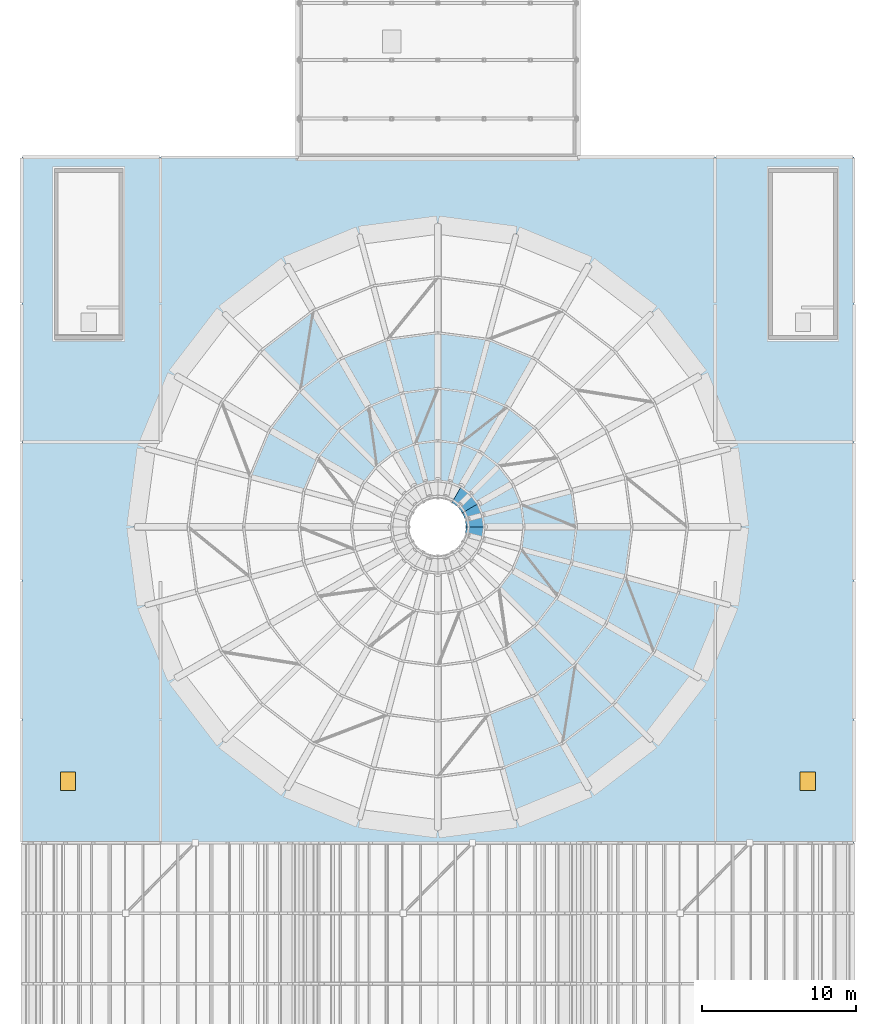
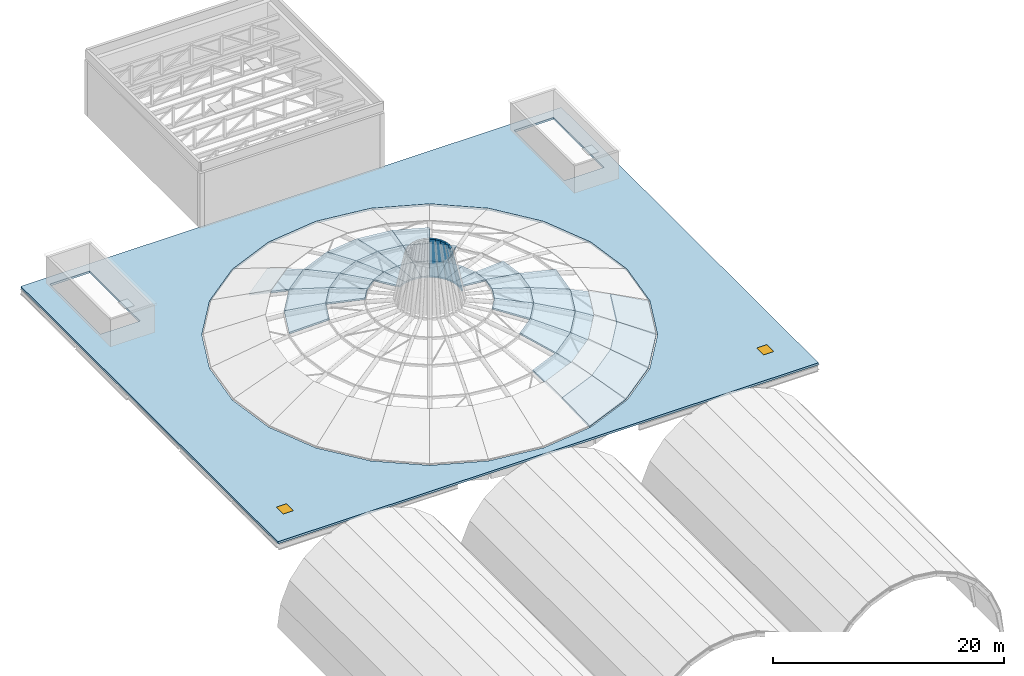
# One storey, part 19 of 25: 45 slabs, 2 doors, 2 openings.
"""IFC4 building model written with IfcOpenShell, lengths in metres."""

from ifc_helpers import new_model, si_unit, direction, frame, origin, origin_2d, place, context, subcontext, project, spatial, polyline, rectangle, outline, extrude, material, layer, layer_set, type_object, element, fill, save


model = new_model("IFC4")

# Units and contexts
model_context = context("Model", 3, precision=1e-05, world=origin(), true_north=direction((0.0, 1.0)))
body_context = subcontext(model_context, "Body", "Model", "MODEL_VIEW")
ifc_project = project(units=[si_unit("LENGTHUNIT", "METRE"), si_unit("AREAUNIT", "SQUARE_METRE"), si_unit("VOLUMEUNIT", "CUBIC_METRE"), si_unit("PLANEANGLEUNIT", "RADIAN"), si_unit("MASSUNIT", "GRAM", prefix="KILO")], contexts=[model_context])

# Site, building, storey
site_placement = place(None, origin())
site = spatial("IfcSite", under=ifc_project, at=site_placement, CompositionType="ELEMENT")
building_placement = place(site_placement, origin())
building = spatial("IfcBuilding", under=site, at=building_placement, Name="Marnock Terrace Opera House", CompositionType="ELEMENT")
storey_placement = place(building_placement, frame((0.0, 0.0, 28.199951171875)))
storey = spatial("IfcBuildingStorey", under=building, at=storey_placement, Name="RF", CompositionType="ELEMENT", Elevation=28.199951171875)

# Slabs
ifc_material_1 = material(Name="Steel Grade 350 (AS/NZS 3679.1)", Category="steel")
ifc_layer_1 = layer(ifc_material_1, 0.159912109375)
ifc_layer_set_1 = layer_set([ifc_layer_1], Name="Steel Grade 350 (AS/NZS 3679.1)")
slab_type_1 = type_object("IfcSlabType", Name="SL-CANOPY-160", PredefinedType="ROOF", material=ifc_layer_set_1)
slab_1_placement = place(storey_placement, frame((91.0, 60.5, 3.332763671875), z_axis=(0.152130426981, 0.020031128711, 0.988157420186), x_axis=(-0.130516988464, 0.991446073019, -4.228795e-06)))
element("IfcSlab", 1, at=slab_1_placement, inside=storey, type_object=slab_type_1, Name="Auditorium dome structural composite shell facet 1.4", PredefinedType="ROOF", context=body_context, shape_type="SweptSolid", body=[
    extrude(outline(polyline([(0.0, 0.0), (2.3494424609822224, -5.551115123125783e-17), (1.905725130690085, 3.411324043626475), (0.44374280146853234, 3.4112190034482923), (0.0, 0.0)])), origin(), (0.0, 0.0, -1.0), 0.159912109375),
])
slab_2_placement = place(storey_placement, frame((87.60009765625, 60.5, 3.856201171875), z_axis=(0.089677052395, 0.011813331132, 0.99590083416), x_axis=(-0.130588548151, 0.991436650064, -1.379021e-06)))
element("IfcSlab", 2, at=slab_2_placement, inside=storey, type_object=slab_type_1, Name="Auditorium dome structural composite shell facet 1.5", PredefinedType="ROOF", context=body_context, shape_type="SweptSolid", body=[
    extrude(outline(polyline([(0.0, 0.0), (1.4619823330281758, -2.7755575615628914e-17), (1.1226200840343679, 2.5884769773683693), (0.33954265510896603, 2.5884427493583617), (0.0, 0.0)])), origin(), (0.0, 0.0, -1.0), 0.159912109375),
])
slab_3_placement = place(storey_placement, frame((85.0, 60.5, 4.09033203125), z_axis=(0.970264995415, 0.127782069208, 0.205566489149), x_axis=(-0.130573236693, 0.991438666638, 1.2436782e-05)))
element("IfcSlab", 3, at=slab_3_placement, inside=storey, type_object=slab_type_1, Name="Auditorium dome structural composite shell facet 1.6", PredefinedType="ROOF", context=body_context, shape_type="SweptSolid", body=[
    extrude(outline(polyline([(0.0, 0.0), (0.7830774282429332, 3.469446951953614e-18), (0.6526729276547419, 4.822716469341437), (0.13063193490332464, 4.8227330550329), (0.0, 0.0)])), origin(), (0.0, 0.0, -1.0), 0.159912109375),
])
slab_4_placement = place(storey_placement, frame((87.4091796875, 61.949462890625, 3.856201171875), z_axis=(0.083570615643, 0.034604687598, 0.995900832311), x_axis=(-0.382621836577, 0.923905043906, 4.515537e-06)))
element("IfcSlab", 4, at=slab_4_placement, inside=storey, type_object=slab_type_1, Name="Auditorium dome structural composite shell facet 2.5", PredefinedType="ROOF", context=body_context, shape_type="SweptSolid", body=[
    extrude(outline(polyline([(0.0, 0.0), (1.4618235670125055, 0.0), (1.1222559816489095, 2.588403256848199), (0.3390695696333019, 2.588515332254588), (0.0, 0.0)])), origin(), (0.0, 0.0, -1.0), 0.159912109375),
])
slab_5_placement = place(storey_placement, frame((84.897705078125, 61.2763671875, 4.09033203125), z_axis=(0.904158994644, 0.374475567418, 0.205583466774), x_axis=(-0.382642363262, 0.923896542167, -3.4766354e-05)))
element("IfcSlab", 5, at=slab_5_placement, inside=storey, type_object=slab_type_1, Name="Auditorium dome structural composite shell facet 2.6", PredefinedType="ROOF", context=body_context, shape_type="SweptSolid", body=[
    extrude(outline(polyline([(0.0, 0.0), (0.7831864088638076, -2.0816681711721685e-17), (0.6525230503025549, 4.822765522208235), (0.13030535918096472, 4.822719147483325), (0.0, 0.0)])), origin(), (0.0, 0.0, -1.0), 0.159912109375),
])
slab_6_placement = place(storey_placement, frame((86.849853515625, 63.300048828125, 3.856201171875), z_axis=(0.071757417591, 0.055074678697, 0.995900423128), x_axis=(-0.608886947022, 0.793257011145, 3.79547e-06)))
element("IfcSlab", 6, at=slab_6_placement, inside=storey, type_object=slab_type_1, Name="Auditorium dome structural composite shell facet 3.5", PredefinedType="ROOF", context=body_context, shape_type="SweptSolid", body=[
    extrude(outline(polyline([(0.0, 0.0), (1.461907375923908, 1.1102230246251565e-16), (1.122966227733173, 2.588283246330215), (0.3397642499744342, 2.5883774492033087), (0.0, 0.0)])), origin(), (0.0, 0.0, -1.0), 0.159912109375),
])
slab_7_placement = place(storey_placement, frame((84.59814453125, 62.0, 4.09033203125), z_axis=(0.776495827628, 0.595642956884, 0.205581364889), x_axis=(-0.608649815488, 0.793438971, 3.7490848e-05)))
element("IfcSlab", 7, at=slab_7_placement, inside=storey, type_object=slab_type_1, Name="Auditorium dome structural composite shell facet 3.6", PredefinedType="ROOF", context=body_context, shape_type="SweptSolid", body=[
    extrude(outline(polyline([(0.0, 0.0), (0.7832019704204041, 2.7755575615628914e-17), (0.6527272093613997, 4.822715160368459), (0.1306765883320632, 4.8227651634590885), (0.0, 0.0)])), origin(), (0.0, 0.0, -1.0), 0.159912109375),
])
slab_8_placement = place(storey_placement, frame((88.364013671875, 66.864013671875, 3.332763671875), z_axis=(0.093412964321, 0.121729752011, 0.988157824222), x_axis=(-0.793379400962, 0.608727464462, 1.1818339e-05)))
element("IfcSlab", 8, at=slab_8_placement, inside=storey, type_object=slab_type_1, Name="Auditorium dome structural composite shell facet 4.4", PredefinedType="ROOF", context=body_context, shape_type="SweptSolid", body=[
    extrude(outline(polyline([(0.0, 0.0), (2.349457327431462, 0.0), (1.9058716062422314, 3.411182584264128), (0.4439642600519328, 3.4114761435019214), (0.0, 0.0)])), origin(), (0.0, 0.0, -1.0), 0.159912109375),
])
slab_9_placement = place(storey_placement, frame((85.959716796875, 64.459716796875, 3.856201171875), z_axis=(0.055074678697, 0.071757417591, 0.995900423128), x_axis=(-0.793257011145, 0.608886947022, -3.79547e-06)))
element("IfcSlab", 9, at=slab_9_placement, inside=storey, type_object=slab_type_1, Name="Auditorium dome structural composite shell facet 4.5", PredefinedType="ROOF", context=body_context, shape_type="SweptSolid", body=[
    extrude(outline(polyline([(0.0, 0.0), (1.461907375923908, -1.1102230246251565e-16), (1.1221431259494739, 2.5883774492033083), (0.3389411481907352, 2.588283246330215), (0.0, 0.0)])), origin(), (0.0, 0.0, -1.0), 0.159912109375),
])
slab_10_placement = place(storey_placement, frame((84.121337890625, 62.621337890625, 4.09033203125), z_axis=(0.595642956884, 0.776495827628, 0.205581364889), x_axis=(-0.793438971, 0.608649815488, -3.7490848e-05)))
element("IfcSlab", 10, at=slab_10_placement, inside=storey, type_object=slab_type_1, Name="Auditorium dome structural composite shell facet 4.6", PredefinedType="ROOF", context=body_context, shape_type="SweptSolid", body=[
    extrude(outline(polyline([(0.0, 0.0), (0.7832019704204041, -2.7755575615628914e-17), (0.6525253820883409, 4.8227651634590885), (0.13047476105900446, 4.822715160368459), (0.0, 0.0)])), origin(), (0.0, 0.0, -1.0), 0.159912109375),
])
slab_11_placement = place(storey_placement, frame((88.300048828125, 71.411865234375, 2.500732421875), z_axis=(0.086883568143, 0.209743362037, 0.973888580726), x_axis=(-0.923872065718, 0.382701458301, 2.16716e-07)))
element("IfcSlab", 11, at=slab_11_placement, inside=storey, type_object=slab_type_1, Name="Auditorium dome structural composite shell facet 5.3", PredefinedType="ROOF", context=body_context, shape_type="SweptSolid", body=[
    extrude(outline(polyline([(0.0, 0.0), (3.289219804929987, -2.220446049250313e-16), (2.81939645112944, 3.6649053476592353), (0.46987594155369106, 3.6649107303114556), (0.0, 0.0)])), origin(), (0.0, 0.0, -1.0), 0.159912109375),
])
slab_12_placement = place(storey_placement, frame((86.5, 68.294189453125, 3.332763671875), z_axis=(0.058719349731, 0.141765848874, 0.988157114056), x_axis=(-0.923871489167, 0.382702850106, -5.121992e-06)))
element("IfcSlab", 12, at=slab_12_placement, inside=storey, type_object=slab_type_1, Name="Auditorium dome structural composite shell facet 5.4", PredefinedType="ROOF", context=body_context, shape_type="SweptSolid", body=[
    extrude(outline(polyline([(0.0, 0.0), (2.3495205095504654, -2.220446049250313e-16), (1.9055515461194905, 3.4112913037863635), (0.4437279846787492, 3.411164081583303), (0.0, 0.0)])), origin(), (0.0, 0.0, -1.0), 0.159912109375),
])
slab_13_placement = place(storey_placement, frame((84.800048828125, 65.349853515625, 3.856201171875), z_axis=(0.034604687598, 0.083570615643, 0.995900832311), x_axis=(-0.923905043906, 0.382621836577, -4.515537e-06)))
element("IfcSlab", 13, at=slab_13_placement, inside=storey, type_object=slab_type_1, Name="Auditorium dome structural composite shell facet 5.5", PredefinedType="ROOF", context=body_context, shape_type="SweptSolid", body=[
    extrude(outline(polyline([(0.0, 0.0), (1.4618235670125055, 0.0), (1.1227539973792038, 2.588515332254588), (0.3395675853635959, 2.588403256848199), (0.0, 0.0)])), origin(), (0.0, 0.0, -1.0), 0.159912109375),
])
slab_14_placement = place(storey_placement, frame((85.26123046875, 72.670654296875, 2.500732421875), z_axis=(0.029635482172, 0.225082224299, 0.973888972368), x_axis=(-0.991441261576, 0.130553532437, -3.531859e-06)))
element("IfcSlab", 14, at=slab_14_placement, inside=storey, type_object=slab_type_1, Name="Auditorium dome structural composite shell facet 6.3", PredefinedType="ROOF", context=body_context, shape_type="SweptSolid", body=[
    extrude(outline(polyline([(0.0, 0.0), (3.289383797776162, -5.551115123125783e-17), (2.8193753930162853, 3.6649790224264693), (0.46993293368056516, 3.664891298357737), (0.0, 0.0)])), origin(), (0.0, 0.0, -1.0), 0.159912109375),
])
slab_15_placement = place(storey_placement, frame((84.329345703125, 69.193359375, 3.332763671875), z_axis=(0.020031128711, 0.152130426981, 0.988157420186), x_axis=(-0.991446073019, 0.130516988464, 4.228795e-06)))
element("IfcSlab", 15, at=slab_15_placement, inside=storey, type_object=slab_type_1, Name="Auditorium dome structural composite shell facet 6.4", PredefinedType="ROOF", context=body_context, shape_type="SweptSolid", body=[
    extrude(outline(polyline([(0.0, 0.0), (2.3494424609822224, 5.551115123125783e-17), (1.90569965951369, 3.4112190034482923), (0.44371733029213695, 3.411324043626475), (0.0, 0.0)])), origin(), (0.0, 0.0, -1.0), 0.159912109375),
])
slab_16_placement = place(storey_placement, frame((83.449462890625, 65.9091796875, 3.856201171875), z_axis=(0.011813331132, 0.089677052395, 0.99590083416), x_axis=(-0.991436650064, 0.130588548151, 1.379021e-06)))
element("IfcSlab", 16, at=slab_16_placement, inside=storey, type_object=slab_type_1, Name="Auditorium dome structural composite shell facet 6.5", PredefinedType="ROOF", context=body_context, shape_type="SweptSolid", body=[
    extrude(outline(polyline([(0.0, 0.0), (1.4619823330281758, 2.7755575615628914e-17), (1.1224396779192098, 2.5884427493583617), (0.3393622489938082, 2.5884769773683693), (0.0, 0.0)])), origin(), (0.0, 0.0, -1.0), 0.159912109375),
])
slab_17_placement = place(storey_placement, frame((82.0, 73.10009765625, 2.500732421875), z_axis=(-0.029635482172, 0.225082224299, 0.973888972368), x_axis=(-0.991441261576, -0.130553532437, 3.531859e-06)))
element("IfcSlab", 17, at=slab_17_placement, inside=storey, type_object=slab_type_1, Name="Auditorium dome structural composite shell facet 7.3", PredefinedType="ROOF", context=body_context, shape_type="SweptSolid", body=[
    extrude(outline(polyline([(0.0, 0.0), (3.289383797776162, 5.551115123125783e-17), (2.8194508640955966, 3.664891298357737), (0.4700084047598771, 3.6649790224264693), (0.0, 0.0)])), origin(), (0.0, 0.0, -1.0), 0.159912109375),
])
slab_18_placement = place(storey_placement, frame((82.0, 69.5, 3.332763671875), z_axis=(-0.020031128711, 0.152130426981, 0.988157420186), x_axis=(-0.991446073019, -0.130516988464, -4.228795e-06)))
element("IfcSlab", 18, at=slab_18_placement, inside=storey, type_object=slab_type_1, Name="Auditorium dome structural composite shell facet 7.4", PredefinedType="ROOF", context=body_context, shape_type="SweptSolid", body=[
    extrude(outline(polyline([(0.0, 0.0), (2.3494424609822224, -5.551115123125783e-17), (1.905725130690085, 3.411324043626475), (0.44374280146853234, 3.4112190034482923), (0.0, 0.0)])), origin(), (0.0, 0.0, -1.0), 0.159912109375),
])
slab_19_placement = place(storey_placement, frame((82.0, 66.10009765625, 3.856201171875), z_axis=(-0.011813331132, 0.089677052395, 0.99590083416), x_axis=(-0.991436650064, -0.130588548151, -1.379021e-06)))
element("IfcSlab", 19, at=slab_19_placement, inside=storey, type_object=slab_type_1, Name="Auditorium dome structural composite shell facet 7.5", PredefinedType="ROOF", context=body_context, shape_type="SweptSolid", body=[
    extrude(outline(polyline([(0.0, 0.0), (1.4619823330281758, -2.7755575615628914e-17), (1.1226200840343679, 2.5884769773683693), (0.33954265510896603, 2.5884427493583617), (0.0, 0.0)])), origin(), (0.0, 0.0, -1.0), 0.159912109375),
])
slab_20_placement = place(storey_placement, frame((78.73876953125, 72.670654296875, 2.500732421875), z_axis=(-0.086883568143, 0.209743362037, 0.973888580726), x_axis=(-0.923872065718, -0.382701458301, -2.16716e-07)))
element("IfcSlab", 20, at=slab_20_placement, inside=storey, type_object=slab_type_1, Name="Auditorium dome structural composite shell facet 8.3", PredefinedType="ROOF", context=body_context, shape_type="SweptSolid", body=[
    extrude(outline(polyline([(0.0, 0.0), (3.289219804929987, 2.220446049250313e-16), (2.8193438633762957, 3.6649107303114556), (0.46982335380054696, 3.6649053476592353), (0.0, 0.0)])), origin(), (0.0, 0.0, -1.0), 0.159912109375),
])
slab_21_placement = place(storey_placement, frame((79.670654296875, 69.193359375, 3.332763671875), z_axis=(-0.058719349731, 0.141765848874, 0.988157114056), x_axis=(-0.923871489167, -0.382702850106, 5.121992e-06)))
element("IfcSlab", 21, at=slab_21_placement, inside=storey, type_object=slab_type_1, Name="Auditorium dome structural composite shell facet 8.4", PredefinedType="ROOF", context=body_context, shape_type="SweptSolid", body=[
    extrude(outline(polyline([(0.0, 0.0), (2.3495205095504654, 2.220446049250313e-16), (1.9057925248717162, 3.411164081583303), (0.443968963430975, 3.411291303786364), (0.0, 0.0)])), origin(), (0.0, 0.0, -1.0), 0.159912109375),
])
slab_22_placement = place(storey_placement, frame((80.550537109375, 65.9091796875, 3.856201171875), z_axis=(-0.034604687598, 0.083570615643, 0.995900832311), x_axis=(-0.923905043906, -0.382621836577, 4.515537e-06)))
element("IfcSlab", 22, at=slab_22_placement, inside=storey, type_object=slab_type_1, Name="Auditorium dome structural composite shell facet 8.5", PredefinedType="ROOF", context=body_context, shape_type="SweptSolid", body=[
    extrude(outline(polyline([(0.0, 0.0), (1.4618235670125055, 0.0), (1.1222559816489095, 2.588403256848199), (0.3390695696333019, 2.588515332254588), (0.0, 0.0)])), origin(), (0.0, 0.0, -1.0), 0.159912109375),
])
slab_23_placement = place(storey_placement, frame((73.89990234375, 74.529541015625, 1.36767578125), z_axis=(-0.184199808034, 0.240038476037, 0.953127463009), x_axis=(-0.79334167214, -0.608776634926, -3.743486e-06)))
element("IfcSlab", 23, at=slab_23_placement, inside=storey, type_object=slab_type_1, Name="Auditorium dome structural composite shell facet 9.2", PredefinedType="ROOF", context=body_context, shape_type="SweptSolid", body=[
    extrude(outline(polyline([(0.0, 0.0), (4.228918670372289, 4.440892098500626e-16), (3.7590756487542865, 3.744833305238259), (0.4699101820801662, 3.7447402889910673), (0.0, 0.0)])), origin(), (0.0, 0.0, -1.0), 0.159912109375),
])
slab_24_placement = place(storey_placement, frame((75.699951171875, 71.411865234375, 2.500732421875), z_axis=(-0.138211191094, 0.180116902874, 0.973886835292), x_axis=(-0.793325539424, -0.608797658031, 8.502952e-06)))
element("IfcSlab", 24, at=slab_24_placement, inside=storey, type_object=slab_type_1, Name="Auditorium dome structural composite shell facet 9.3", PredefinedType="ROOF", context=body_context, shape_type="SweptSolid", body=[
    extrude(outline(polyline([(0.0, 0.0), (3.2891654679059217, 0.0), (2.81947339921853, 3.664681580689559), (0.4700160812854151, 3.664892760247147), (0.0, 0.0)])), origin(), (0.0, 0.0, -1.0), 0.159912109375),
])
slab_25_placement = place(storey_placement, frame((77.5, 68.294189453125, 3.332763671875), z_axis=(-0.093412964321, 0.121729752011, 0.988157824222), x_axis=(-0.793379400962, -0.608727464462, -1.1818339e-05)))
element("IfcSlab", 25, at=slab_25_placement, inside=storey, type_object=slab_type_1, Name="Auditorium dome structural composite shell facet 9.4", PredefinedType="ROOF", context=body_context, shape_type="SweptSolid", body=[
    extrude(outline(polyline([(0.0, 0.0), (2.349457327431462, 0.0), (1.9054930673795294, 3.4114761435019214), (0.44358572118923034, 3.4111825842641275), (0.0, 0.0)])), origin(), (0.0, 0.0, -1.0), 0.159912109375),
])
slab_26_placement = place(storey_placement, frame((73.090576171875, 69.409423828125, 2.500732421875), z_axis=(-0.180116902874, 0.138211191094, 0.973886835292), x_axis=(-0.608797658031, -0.793325539424, -8.502952e-06)))
element("IfcSlab", 26, at=slab_26_placement, inside=storey, type_object=slab_type_1, Name="Auditorium dome structural composite shell facet 10.3", PredefinedType="ROOF", context=body_context, shape_type="SweptSolid", body=[
    extrude(outline(polyline([(0.0, 0.0), (3.2891654679059217, 0.0), (2.8191493866205066, 3.664892760247147), (0.4696920686873917, 3.6646815806895594), (0.0, 0.0)])), origin(), (0.0, 0.0, -1.0), 0.159912109375),
])
slab_27_placement = place(storey_placement, frame((75.635986328125, 66.864013671875, 3.332763671875), z_axis=(-0.121729752011, 0.093412964321, 0.988157824222), x_axis=(-0.608727464462, -0.793379400962, 1.1818339e-05)))
element("IfcSlab", 27, at=slab_27_placement, inside=storey, type_object=slab_type_1, Name="Auditorium dome structural composite shell facet 10.4", PredefinedType="ROOF", context=body_context, shape_type="SweptSolid", body=[
    extrude(outline(polyline([(0.0, 0.0), (2.349457327431462, 0.0), (1.9058716062422314, 3.411182584264128), (0.4439642600519328, 3.4114761435019214), (0.0, 0.0)])), origin(), (0.0, 0.0, -1.0), 0.159912109375),
])
slab_28_placement = place(storey_placement, frame((71.088134765625, 66.800048828125, 2.500732421875), z_axis=(-0.209743362037, 0.086883568143, 0.973888580726), x_axis=(-0.382701458301, -0.923872065718, 2.16716e-07)))
element("IfcSlab", 28, at=slab_28_placement, inside=storey, type_object=slab_type_1, Name="Auditorium dome structural composite shell facet 11.3", PredefinedType="ROOF", context=body_context, shape_type="SweptSolid", body=[
    extrude(outline(polyline([(0.0, 0.0), (3.289219804929987, -2.220446049250313e-16), (2.81939645112944, 3.6649053476592353), (0.46987594155369106, 3.6649107303114556), (0.0, 0.0)])), origin(), (0.0, 0.0, -1.0), 0.159912109375),
])
slab_29_placement = place(storey_placement, frame((87.07275390625, 41.56787109375, 0.0), z_axis=(0.143869374216, -0.347343037606, 0.926636076024), x_axis=(0.923886216691, 0.382667294921, -2.278383e-06)))
element("IfcSlab", 29, at=slab_29_placement, inside=storey, type_object=slab_type_1, Name="Auditorium dome structural composite shell facet 20.1", PredefinedType="ROOF", context=body_context, shape_type="SweptSolid", body=[
    extrude(outline(polyline([(0.0, 0.0), (5.116748173599901, 0.0), (4.672978093943289, 3.63785527228763), (0.44383343819057464, 3.6377986344936635), (0.0, 0.0)])), origin(), (0.0, 0.0, -1.0), 0.159912109375),
])
slab_30_placement = place(storey_placement, frame((86.19287109375, 44.85205078125, 1.36767578125), z_axis=(0.115792692457, -0.279543308706, 0.953125170652), x_axis=(0.923880681163, 0.382680659252, -2.952305e-06)))
element("IfcSlab", 30, at=slab_30_placement, inside=storey, type_object=slab_type_1, Name="Auditorium dome structural composite shell facet 20.2", PredefinedType="ROOF", context=body_context, shape_type="SweptSolid", body=[
    extrude(outline(polyline([(0.0, 0.0), (4.2291446561303925, 2.220446049250313e-16), (3.7591851968493732, 3.7447341051070744), (0.4699653927634346, 3.7446607467360202), (0.0, 0.0)])), origin(), (0.0, 0.0, -1.0), 0.159912109375),
])
slab_31_placement = place(storey_placement, frame((91.800048828125, 43.52587890625, 0.0), z_axis=(0.228864891661, -0.29826193601, 0.926639454638), x_axis=(0.79336010007, 0.608752619373, -4.897854e-06)))
element("IfcSlab", 31, at=slab_31_placement, inside=storey, type_object=slab_type_1, Name="Auditorium dome structural composite shell facet 21.1", PredefinedType="ROOF", context=body_context, shape_type="SweptSolid", body=[
    extrude(outline(polyline([(0.0, 0.0), (5.116617261186224, -4.440892098500626e-16), (4.6727593735698125, 3.6379684088453295), (0.4438407050040428, 3.6378466561576954), (0.0, 0.0)])), origin(), (0.0, 0.0, -1.0), 0.159912109375),
])
slab_32_placement = place(storey_placement, frame((90.10009765625, 46.470458984375, 1.36767578125), z_axis=(0.184199808034, -0.240038476037, 0.953127463009), x_axis=(0.79334167214, 0.608776634926, -3.743486e-06)))
element("IfcSlab", 32, at=slab_32_placement, inside=storey, type_object=slab_type_1, Name="Auditorium dome structural composite shell facet 21.2", PredefinedType="ROOF", context=body_context, shape_type="SweptSolid", body=[
    extrude(outline(polyline([(0.0, 0.0), (4.228918670372289, 4.440892098500626e-16), (3.7590756487542865, 3.744833305238259), (0.4699101820801662, 3.7447402889910673), (0.0, 0.0)])), origin(), (0.0, 0.0, -1.0), 0.159912109375),
])
slab_33_placement = place(storey_placement, frame((88.300048828125, 49.588134765625, 2.500732421875), z_axis=(0.138211191094, -0.180116902874, 0.973886835292), x_axis=(0.793325539424, 0.608797658031, 8.502952e-06)))
element("IfcSlab", 33, at=slab_33_placement, inside=storey, type_object=slab_type_1, Name="Auditorium dome structural composite shell facet 21.3", PredefinedType="ROOF", context=body_context, shape_type="SweptSolid", body=[
    extrude(outline(polyline([(0.0, 0.0), (3.2891654679059217, 0.0), (2.81947339921853, 3.664681580689559), (0.4700160812854151, 3.664892760247147), (0.0, 0.0)])), origin(), (0.0, 0.0, -1.0), 0.159912109375),
])
slab_34_placement = place(storey_placement, frame((95.859375, 46.640625, 0.0), z_axis=(0.29826193601, -0.228864891661, 0.926639454638), x_axis=(0.608752619373, 0.79336010007, 4.897854e-06)))
element("IfcSlab", 34, at=slab_34_placement, inside=storey, type_object=slab_type_1, Name="Auditorium dome structural composite shell facet 22.1", PredefinedType="ROOF", context=body_context, shape_type="SweptSolid", body=[
    extrude(outline(polyline([(0.0, 0.0), (5.116617261186224, 4.440892098500626e-16), (4.672776556182183, 3.637846656157696), (0.4438578876164122, 3.6379684088453303), (0.0, 0.0)])), origin(), (0.0, 0.0, -1.0), 0.159912109375),
])
slab_35_placement = place(storey_placement, frame((93.455078125, 49.044921875, 1.36767578125), z_axis=(0.240038476037, -0.184199808034, 0.953127463009), x_axis=(0.608776634926, 0.79334167214, 3.743486e-06)))
element("IfcSlab", 35, at=slab_35_placement, inside=storey, type_object=slab_type_1, Name="Auditorium dome structural composite shell facet 22.2", PredefinedType="ROOF", context=body_context, shape_type="SweptSolid", body=[
    extrude(outline(polyline([(0.0, 0.0), (4.228918670372289, -4.440892098500626e-16), (3.7590084882921224, 3.744740288991067), (0.4698430216180026, 3.7448333052382585), (0.0, 0.0)])), origin(), (0.0, 0.0, -1.0), 0.159912109375),
])
slab_36_placement = place(storey_placement, frame((90.909423828125, 51.590576171875, 2.500732421875), z_axis=(0.180116902874, -0.138211191094, 0.973886835292), x_axis=(0.608797658031, 0.793325539424, -8.502952e-06)))
element("IfcSlab", 36, at=slab_36_placement, inside=storey, type_object=slab_type_1, Name="Auditorium dome structural composite shell facet 22.3", PredefinedType="ROOF", context=body_context, shape_type="SweptSolid", body=[
    extrude(outline(polyline([(0.0, 0.0), (3.2891654679059217, 0.0), (2.8191493866205066, 3.664892760247147), (0.4696920686873917, 3.6646815806895594), (0.0, 0.0)])), origin(), (0.0, 0.0, -1.0), 0.159912109375),
])
slab_37_placement = place(storey_placement, frame((88.364013671875, 54.135986328125, 3.332763671875), z_axis=(0.121729752011, -0.093412964321, 0.988157824222), x_axis=(0.608727464462, 0.793379400962, 1.1818339e-05)))
element("IfcSlab", 37, at=slab_37_placement, inside=storey, type_object=slab_type_1, Name="Auditorium dome structural composite shell facet 22.4", PredefinedType="ROOF", context=body_context, shape_type="SweptSolid", body=[
    extrude(outline(polyline([(0.0, 0.0), (2.349457327431462, 0.0), (1.9058716062422314, 3.411182584264128), (0.4439642600519328, 3.4114761435019214), (0.0, 0.0)])), origin(), (0.0, 0.0, -1.0), 0.159912109375),
])
slab_38_placement = place(storey_placement, frame((98.97412109375, 50.699951171875, 0.0), z_axis=(0.347343037606, -0.143869374216, 0.926636076024), x_axis=(0.382667294921, 0.923886216691, 2.278383e-06)))
element("IfcSlab", 38, at=slab_38_placement, inside=storey, type_object=slab_type_1, Name="Auditorium dome structural composite shell facet 23.1", PredefinedType="ROOF", context=body_context, shape_type="SweptSolid", body=[
    extrude(outline(polyline([(0.0, 0.0), (5.116748173599901, 0.0), (4.672914735409326, 3.6377986344936635), (0.4437700796566124, 3.6378552722876294), (0.0, 0.0)])), origin(), (0.0, 0.0, -1.0), 0.159912109375),
])
slab_39_placement = place(storey_placement, frame((96.029541015625, 52.39990234375, 1.36767578125), z_axis=(0.279543308706, -0.115792692457, 0.953125170652), x_axis=(0.382680659252, 0.923880681163, 2.952305e-06)))
element("IfcSlab", 39, at=slab_39_placement, inside=storey, type_object=slab_type_1, Name="Auditorium dome structural composite shell facet 23.2", PredefinedType="ROOF", context=body_context, shape_type="SweptSolid", body=[
    extrude(outline(polyline([(0.0, 0.0), (4.2291446561303925, -2.220446049250313e-16), (3.7591792633669576, 3.74466074673602), (0.46995945928101884, 3.7447341051070744), (0.0, 0.0)])), origin(), (0.0, 0.0, -1.0), 0.159912109375),
])
slab_40_placement = place(storey_placement, frame((92.911865234375, 54.199951171875, 2.500732421875), z_axis=(0.209743362037, -0.086883568143, 0.973888580726), x_axis=(0.382701458301, 0.923872065718, 2.16716e-07)))
element("IfcSlab", 40, at=slab_40_placement, inside=storey, type_object=slab_type_1, Name="Auditorium dome structural composite shell facet 23.3", PredefinedType="ROOF", context=body_context, shape_type="SweptSolid", body=[
    extrude(outline(polyline([(0.0, 0.0), (3.289219804929987, -2.220446049250313e-16), (2.81939645112944, 3.6649053476592353), (0.46987594155369106, 3.6649107303114556), (0.0, 0.0)])), origin(), (0.0, 0.0, -1.0), 0.159912109375),
])
slab_41_placement = place(storey_placement, frame((89.794189453125, 56.0, 3.332763671875), z_axis=(0.141765848874, -0.058719349731, 0.988157114056), x_axis=(0.382702850106, 0.923871489167, -5.121992e-06)))
element("IfcSlab", 41, at=slab_41_placement, inside=storey, type_object=slab_type_1, Name="Auditorium dome structural composite shell facet 23.4", PredefinedType="ROOF", context=body_context, shape_type="SweptSolid", body=[
    extrude(outline(polyline([(0.0, 0.0), (2.3495205095504654, -2.220446049250313e-16), (1.9055515461194905, 3.4112913037863635), (0.4437279846787492, 3.411164081583303), (0.0, 0.0)])), origin(), (0.0, 0.0, -1.0), 0.159912109375),
])
slab_42_placement = place(storey_placement, frame((94.170654296875, 57.23876953125, 2.500732421875), z_axis=(0.225082224299, -0.029635482172, 0.973888972368), x_axis=(0.130553532437, 0.991441261576, -3.531859e-06)))
element("IfcSlab", 42, at=slab_42_placement, inside=storey, type_object=slab_type_1, Name="Auditorium dome structural composite shell facet 24.3", PredefinedType="ROOF", context=body_context, shape_type="SweptSolid", body=[
    extrude(outline(polyline([(0.0, 0.0), (3.289383797776162, -5.551115123125783e-17), (2.8193753930162853, 3.6649790224264693), (0.46993293368056516, 3.664891298357737), (0.0, 0.0)])), origin(), (0.0, 0.0, -1.0), 0.159912109375),
])
slab_43_placement = place(storey_placement, frame((90.693359375, 58.170654296875, 3.332763671875), z_axis=(0.152130426981, -0.020031128711, 0.988157420186), x_axis=(0.130516988464, 0.991446073019, 4.228795e-06)))
element("IfcSlab", 43, at=slab_43_placement, inside=storey, type_object=slab_type_1, Name="Auditorium dome structural composite shell facet 24.4", PredefinedType="ROOF", context=body_context, shape_type="SweptSolid", body=[
    extrude(outline(polyline([(0.0, 0.0), (2.3494424609822224, 5.551115123125783e-17), (1.90569965951369, 3.4112190034482923), (0.44371733029213695, 3.411324043626475), (0.0, 0.0)])), origin(), (0.0, 0.0, -1.0), 0.159912109375),
])
slab_44_placement = place(storey_placement, frame((84.897705078125, 59.7236328125, 4.09033203125), z_axis=(0.970264995415, -0.127782069208, 0.205566489149), x_axis=(0.130573236693, 0.991438666638, -1.2436782e-05)))
element("IfcSlab", 44, at=slab_44_placement, inside=storey, type_object=slab_type_1, Name="Auditorium dome structural composite shell facet 24.6", PredefinedType="ROOF", context=body_context, shape_type="SweptSolid", body=[
    extrude(outline(polyline([(0.0, 0.0), (0.7830774282429332, -3.469446951953614e-18), (0.6524454933396087, 4.8227330550329), (0.13040450058819125, 4.822716469341437), (0.0, 0.0)])), origin(), (0.0, 0.0, -1.0), 0.159912109375),
])

# Slab, openings, doors
ifc_material_2 = material(Name="Concrete N40 (f'c = 40 MPa)", Category="concrete")
ifc_layer_2 = layer(ifc_material_2, 0.219970703125)
ifc_layer_set_2 = layer_set([ifc_layer_2], Name="Concrete N40 (f'c = 40 MPa)")
slab_type_2 = type_object("IfcSlabType", Name="SL-ROOF-220", PredefinedType="ROOF", material=ifc_layer_set_2)
slab_45_placement = place(storey_placement, frame((0.0, 0.0, -0.219970703125)))
slab_45 = element("IfcSlab", 45, at=slab_45_placement, inside=storey, type_object=slab_type_2, Name="RF structural roof slab SL-ROOF-V1-CORNERS", PredefinedType="ROOF", context=body_context, shape_type="SweptSolid", body=[
    extrude(outline(polyline([(55.0, 40.0), (109.0, 40.0), (109.0, 84.5), (55.0, 84.5), (55.0, 40.0)]), holes=[polyline([(101.719970703125, 60.5), (101.048095703125, 65.60400390625), (99.077880859375, 70.360107421875), (95.944091796875, 74.444091796875), (91.860107421875, 77.577880859375), (87.10400390625, 79.548095703125), (82.0, 80.219970703125), (76.89599609375, 79.548095703125), (72.139892578125, 77.577880859375), (68.055908203125, 74.444091796875), (64.922119140625, 70.360107421875), (62.951904296875, 65.60400390625), (62.280029296875, 60.5), (62.951904296875, 55.39599609375), (64.922119140625, 50.639892578125), (68.055908203125, 46.555908203125), (72.139892578125, 43.422119140625), (76.89599609375, 41.451904296875), (82.0, 40.780029296875), (87.10400390625, 41.451904296875), (91.860107421875, 43.422119140625), (95.944091796875, 46.555908203125), (99.077880859375, 50.639892578125), (101.048095703125, 55.39599609375), (101.719970703125, 60.5)]), polyline([(61.320068359375, 74.800048828125), (61.320068359375, 83.52001953125), (57.360107421875, 83.52001953125), (57.360107421875, 74.800048828125), (61.320068359375, 74.800048828125)]), polyline([(107.679931640625, 74.800048828125), (107.679931640625, 83.52001953125), (103.719970703125, 83.52001953125), (103.719970703125, 74.800048828125), (107.679931640625, 74.800048828125)])]), origin(), (0.0, 0.0, 1.0), 0.219970703125),
])
opening_1_placement = place(slab_45_placement, frame((58.0, 44.0, 0.0)))
opening_1 = element("IfcOpeningElement", 46, at=opening_1_placement, cuts=slab_45, Name="Opening DT-107", PredefinedType="OPENING", context=body_context, shape_type="SweptSolid", body=[
    extrude(rectangle(XDim=1.0, YDim=1.199951171875, at=origin_2d()), frame((0.0, 0.0, -0.010009765625)), (0.0, 0.0, 1.0), 0.239990234375),
])
opening_2_placement = place(slab_45_placement, frame((106.0, 44.0, 0.0)))
opening_2 = element("IfcOpeningElement", 47, at=opening_2_placement, cuts=slab_45, Name="Opening DT-107", PredefinedType="OPENING", context=body_context, shape_type="SweptSolid", body=[
    extrude(rectangle(XDim=1.0, YDim=1.199951171875, at=origin_2d()), frame((0.0, 0.0, -0.010009765625)), (0.0, 0.0, 1.0), 0.239990234375),
])
ifc_material_3 = material(Name="Galvanised architectural steel framing", Category="steel")
door_type = type_object("IfcDoorType", Name="DT-HATCH-1000x1200", OperationType="NOTDEFINED", PredefinedType="TRAPDOOR", material=ifc_material_3)
door_1_placement = place(opening_1_placement, frame((0.0, 0.0, 0.169921875)))
door_1 = element("IfcDoor", 48, at=door_1_placement, inside=storey, type_object=door_type, Name="Roof maintenance access hatch RH-V1-01", OperationType="SINGLE_SWING_LEFT", OverallHeight=1.199951171875, OverallWidth=1.0, PredefinedType="TRAPDOOR", context=body_context, shape_type="SweptSolid", body=[
    extrude(rectangle(XDim=1.0, YDim=1.199951171875, at=origin_2d()), origin(), (0.0, 0.0, 1.0), 0.050048828125),
])
fill(opening_1, door_1)
door_2_placement = place(opening_2_placement, frame((0.0, 0.0, 0.169921875)))
door_2 = element("IfcDoor", 49, at=door_2_placement, inside=storey, type_object=door_type, Name="Roof maintenance access hatch RH-V1-02", OperationType="SINGLE_SWING_LEFT", OverallHeight=1.199951171875, OverallWidth=1.0, PredefinedType="TRAPDOOR", context=body_context, shape_type="SweptSolid", body=[
    extrude(rectangle(XDim=1.0, YDim=1.199951171875, at=origin_2d()), origin(), (0.0, 0.0, 1.0), 0.050048828125),
])
fill(opening_2, door_2)

save(model, "model.ifc")
